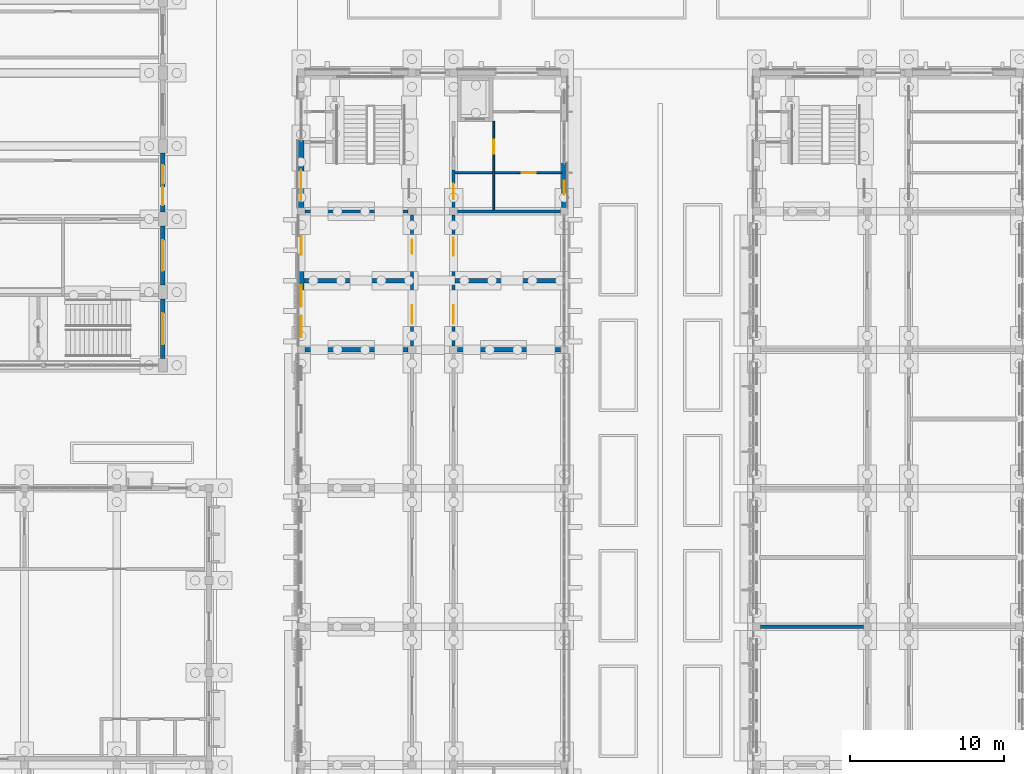
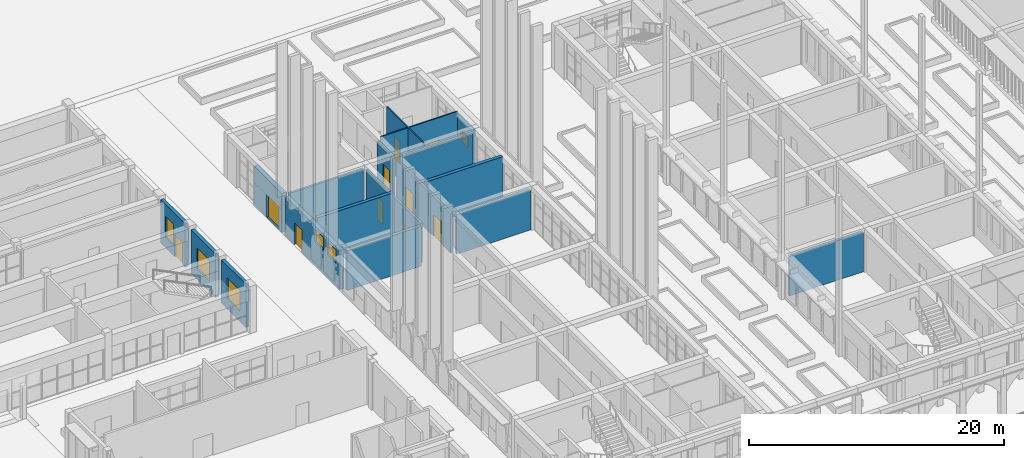
# One storey, part 62 of 161: 18 walls, 10 doors, 6 windows, 16 openings.
"""IFC4 building model written with IfcOpenShell, lengths in metres."""

from ifc_helpers import new_model, si_unit, direction, frame, frame_2d, origin, place, context, subcontext, project, spatial, rectangle, extrude, material, layer, layer_set, type_object, element, fill, save


model = new_model("IFC4")

# Units and contexts
model_context = context("Model", 3, precision=1e-05, world=origin(), true_north=direction((0.0, 1.0)))
body_context = subcontext(model_context, "Body", "Model", "MODEL_VIEW")
ifc_project = project(units=[si_unit("LENGTHUNIT", "METRE"), si_unit("AREAUNIT", "SQUARE_METRE"), si_unit("VOLUMEUNIT", "CUBIC_METRE"), si_unit("PLANEANGLEUNIT", "RADIAN"), si_unit("MASSUNIT", "GRAM", prefix="KILO")], contexts=[model_context])

# Site, building, storey
site_placement = place(None, origin())
site = spatial("IfcSite", under=ifc_project, at=site_placement, CompositionType="ELEMENT")
building_placement = place(site_placement, origin())
building = spatial("IfcBuilding", under=site, at=building_placement, Name="Elbe Cascade School", CompositionType="ELEMENT")
storey_placement = place(building_placement, origin())
storey = spatial("IfcBuildingStorey", under=building, at=storey_placement, Name="L00", CompositionType="ELEMENT", Elevation=0.0)

# Wall
ifc_material_1 = material(Name="Masonry - lime-sand block, plastered", Category="masonry")
ifc_layer_1 = layer(ifc_material_1, 0.239990234375)
ifc_layer_set_1 = layer_set([ifc_layer_1], Name="Masonry - lime-sand block, plastered")
wall_type_1 = type_object("IfcWallType", Name="Bar acoustic partition wall lime-sand block 240", PredefinedType="PARTITIONING", material=ifc_layer_set_1)
wall_1_placement = place(storey_placement, frame((98.85009765625, 24.0, 0.0), z_axis=(0.0, 0.0, 1.0), x_axis=(1.0, 0.0, 0.0)))
element("IfcWall", 1, at=wall_1_placement, inside=storey, type_object=wall_type_1, Name="Bar acoustic partition wall lime-sand block 240", PredefinedType="PARTITIONING", context=body_context, shape_type="SweptSolid", body=[
    extrude(rectangle(XDim=6.699951171875, YDim=0.239990234375, at=frame_2d((3.35009765625, 0.0))), origin(), (0.0, 0.0, 1.0), 3.800048828125),
])

# Wall, opening, door
ifc_material_2 = material(Name="Masonry - lime-sand block, plastered", Category="masonry")
ifc_layer_2 = layer(ifc_material_2, 0.199951171875)
ifc_layer_set_2 = layer_set([ifc_layer_2], Name="Masonry - lime-sand block, plastered")
wall_type_2 = type_object("IfcWallType", Name="Bar corridor wall lime-sand block 200 EI 30", PredefinedType="PARTITIONING", material=ifc_layer_set_2)
wall_2_placement = place(storey_placement, frame((78.89990234375, 51.25, 0.0), z_axis=(0.0, 0.0, 1.0), x_axis=(0.0, 1.0, 0.0)))
wall_2 = element("IfcWall", 2, at=wall_2_placement, inside=storey, type_object=wall_type_2, Name="Bar corridor wall lime-sand block 200 EI 30", PredefinedType="PARTITIONING", context=body_context, shape_type="SweptSolid", body=[
    extrude(rectangle(XDim=2.449951171875, YDim=0.199951171875, at=frame_2d((1.22509765625, 0.0))), origin(), (0.0, 0.0, 1.0), 3.800048828125),
])
opening_1_placement = place(wall_2_placement, frame((0.550048828125, 0.0, 0.0)))
opening_1 = element("IfcOpeningElement", 3, at=opening_1_placement, cuts=wall_2, Name="Opening D0.025", PredefinedType="OPENING", context=body_context, shape_type="SweptSolid", body=[
    extrude(rectangle(XDim=1.0, YDim=2.10009765625, at=frame_2d((0.5, 1.050048828125))), frame((0.0, 0.10986328125, 0.0), z_axis=(0.0, -1.0, 0.0), x_axis=(1.0, 0.0, 0.0)), (0.0, 0.0, 1.0), 0.219970703125),
])
ifc_material_3 = material(Name="Timber door leaf, fire-resisting, steel frame", Category="steel")
door_type_1 = type_object("IfcDoorType", Name="Bar door FD30 1000x2100", OperationType="NOTDEFINED", PredefinedType="DOOR", material=ifc_material_3)
door_1_placement = place(opening_1_placement, origin())
door_1 = element("IfcDoor", 4, at=door_1_placement, inside=storey, type_object=door_type_1, Name="Door A0.19", OperationType="SINGLE_SWING_RIGHT", OverallHeight=2.10009765625, OverallWidth=1.0, PredefinedType="DOOR", context=body_context, shape_type="SweptSolid", body=[
    extrude(rectangle(XDim=1.0, YDim=2.10009765625, at=frame_2d((0.5, 1.050048828125))), frame((0.0, 0.02490234375, 0.0), z_axis=(0.0, -1.0, 0.0), x_axis=(1.0, 0.0, 0.0)), (0.0, 0.0, 1.0), 0.050048828125),
])
fill(opening_1, door_1)

# Wall, openings, doors
wall_3_placement = place(storey_placement, frame((76.199951171875, 42.25, 0.0), z_axis=(0.0, 0.0, 1.0), x_axis=(0.0, 1.0, 0.0)))
wall_3 = element("IfcWall", 5, at=wall_3_placement, inside=storey, type_object=wall_type_2, Name="Bar corridor wall lime-sand block 200 EI 30", PredefinedType="PARTITIONING", context=body_context, shape_type="SweptSolid", body=[
    extrude(rectangle(XDim=8.5, YDim=0.199951171875, at=frame_2d((4.25, 0.0))), origin(), (0.0, 0.0, 1.0), 3.800048828125),
])
opening_2_placement = place(wall_3_placement, frame((1.449951171875, 0.0, 0.0)))
opening_2 = element("IfcOpeningElement", 6, at=opening_2_placement, cuts=wall_3, Name="Opening D0.020", PredefinedType="OPENING", context=body_context, shape_type="SweptSolid", body=[
    extrude(rectangle(XDim=1.199951171875, YDim=2.10009765625, at=frame_2d((0.60009765625, 1.050048828125))), frame((0.0, 0.10986328125, 0.0), z_axis=(0.0, -1.0, 0.0), x_axis=(1.0, 0.0, 0.0)), (0.0, 0.0, 1.0), 0.219970703125),
])
opening_3_placement = place(wall_3_placement, frame((6.0, 0.0, 0.0)))
opening_3 = element("IfcOpeningElement", 7, at=opening_3_placement, cuts=wall_3, Name="Opening D0.022", PredefinedType="OPENING", context=body_context, shape_type="SweptSolid", body=[
    extrude(rectangle(XDim=0.89990234375, YDim=2.10009765625, at=frame_2d((0.449951171875, 1.050048828125))), frame((0.0, 0.10986328125, 0.0), z_axis=(0.0, -1.0, 0.0), x_axis=(1.0, 0.0, 0.0)), (0.0, 0.0, 1.0), 0.219970703125),
])
ifc_material_4 = material(Name="Timber door leaf, fire-resisting, steel frame", Category="steel")
door_type_2 = type_object("IfcDoorType", Name="Bar door FD30 1200x2100", OperationType="NOTDEFINED", PredefinedType="DOOR", material=ifc_material_4)
door_2_placement = place(opening_2_placement, origin())
door_2 = element("IfcDoor", 8, at=door_2_placement, inside=storey, type_object=door_type_2, Name="Door A0.23", OperationType="SINGLE_SWING_RIGHT", OverallHeight=2.10009765625, OverallWidth=1.199951171875, PredefinedType="DOOR", context=body_context, shape_type="SweptSolid", body=[
    extrude(rectangle(XDim=1.199951171875, YDim=2.10009765625, at=frame_2d((0.60009765625, 1.050048828125))), frame((0.0, 0.02490234375, 0.0), z_axis=(0.0, -1.0, 0.0), x_axis=(1.0, 0.0, 0.0)), (0.0, 0.0, 1.0), 0.050048828125),
])
fill(opening_2, door_2)
ifc_material_5 = material(Name="Timber door leaf, fire-resisting, steel frame", Category="steel")
door_type_3 = type_object("IfcDoorType", Name="Bar door FD30 900x2100", OperationType="NOTDEFINED", PredefinedType="DOOR", material=ifc_material_5)
door_3_placement = place(opening_3_placement, origin())
door_3 = element("IfcDoor", 9, at=door_3_placement, inside=storey, type_object=door_type_3, Name="Door A0.24", OperationType="SINGLE_SWING_LEFT", OverallHeight=2.10009765625, OverallWidth=0.89990234375, PredefinedType="DOOR", context=body_context, shape_type="SweptSolid", body=[
    extrude(rectangle(XDim=0.89990234375, YDim=2.10009765625, at=frame_2d((0.449951171875, 1.050048828125))), frame((0.0, 0.02490234375, 0.0), z_axis=(0.0, -1.0, 0.0), x_axis=(1.0, 0.0, 0.0)), (0.0, 0.0, 1.0), 0.050048828125),
])
fill(opening_3, door_3)

wall_4_placement = place(storey_placement, frame((78.89990234375, 50.75, 0.0), z_axis=(0.0, 0.0, 1.0), x_axis=(0.0, -1.0, 0.0)))
wall_4 = element("IfcWall", 10, at=wall_4_placement, inside=storey, type_object=wall_type_2, Name="Bar corridor wall lime-sand block 200 EI 30", PredefinedType="PARTITIONING", context=body_context, shape_type="SweptSolid", body=[
    extrude(rectangle(XDim=8.5, YDim=0.199951171875, at=frame_2d((4.25, 0.0))), origin(), (0.0, 0.0, 1.0), 3.800048828125),
])
opening_4_placement = place(wall_4_placement, frame((5.85009765625, 0.0, 0.0)))
opening_4 = element("IfcOpeningElement", 11, at=opening_4_placement, cuts=wall_4, Name="Opening D0.021", PredefinedType="OPENING", context=body_context, shape_type="SweptSolid", body=[
    extrude(rectangle(XDim=1.199951171875, YDim=2.10009765625, at=frame_2d((0.60009765625, 1.050048828125))), frame((0.0, 0.10986328125, 0.0), z_axis=(0.0, -1.0, 0.0), x_axis=(1.0, 0.0, 0.0)), (0.0, 0.0, 1.0), 0.219970703125),
])
opening_5_placement = place(wall_4_placement, frame((1.449951171875, 0.0, 0.0)))
opening_5 = element("IfcOpeningElement", 12, at=opening_5_placement, cuts=wall_4, Name="Opening D0.023", PredefinedType="OPENING", context=body_context, shape_type="SweptSolid", body=[
    extrude(rectangle(XDim=1.199951171875, YDim=2.10009765625, at=frame_2d((0.60009765625, 1.050048828125))), frame((0.0, 0.10986328125, 0.0), z_axis=(0.0, -1.0, 0.0), x_axis=(1.0, 0.0, 0.0)), (0.0, 0.0, 1.0), 0.219970703125),
])
door_4_placement = place(opening_4_placement, origin())
door_4 = element("IfcDoor", 13, at=door_4_placement, inside=storey, type_object=door_type_2, Name="Door A0.26", OperationType="SINGLE_SWING_LEFT", OverallHeight=2.10009765625, OverallWidth=1.199951171875, PredefinedType="DOOR", context=body_context, shape_type="SweptSolid", body=[
    extrude(rectangle(XDim=1.199951171875, YDim=2.10009765625, at=frame_2d((0.60009765625, 1.050048828125))), frame((0.0, 0.02490234375, 0.0), z_axis=(0.0, -1.0, 0.0), x_axis=(1.0, 0.0, 0.0)), (0.0, 0.0, 1.0), 0.050048828125),
])
fill(opening_4, door_4)
door_5_placement = place(opening_5_placement, origin())
door_5 = element("IfcDoor", 14, at=door_5_placement, inside=storey, type_object=door_type_2, Name="Door A0.27", OperationType="SINGLE_SWING_RIGHT", OverallHeight=2.10009765625, OverallWidth=1.199951171875, PredefinedType="DOOR", context=body_context, shape_type="SweptSolid", body=[
    extrude(rectangle(XDim=1.199951171875, YDim=2.10009765625, at=frame_2d((0.60009765625, 1.050048828125))), frame((0.0, 0.02490234375, 0.0), z_axis=(0.0, -1.0, 0.0), x_axis=(1.0, 0.0, 0.0)), (0.0, 0.0, 1.0), 0.050048828125),
])
fill(opening_5, door_5)

# Wall, opening, door
ifc_material_6 = material(Name="Masonry - lime-sand block, plastered", Category="masonry")
ifc_layer_3 = layer(ifc_material_6, 0.114990234375)
ifc_layer_set_3 = layer_set([ifc_layer_3], Name="Masonry - lime-sand block, plastered")
wall_type_3 = type_object("IfcWallType", Name="Bar light partition wall lime-sand block 115", PredefinedType="PARTITIONING", material=ifc_layer_set_3)
wall_5_placement = place(storey_placement, frame((81.507568359375, 56.85009765625, 0.0), z_axis=(0.0, 0.0, 1.0), x_axis=(0.0, -1.0, 0.0)))
wall_5 = element("IfcWall", 15, at=wall_5_placement, inside=storey, type_object=wall_type_3, Name="Bar light partition wall lime-sand block 115", PredefinedType="PARTITIONING", context=body_context, shape_type="SweptSolid", body=[
    extrude(rectangle(XDim=5.75, YDim=0.114990234375, at=frame_2d((2.875, 0.0))), origin(), (0.0, 0.0, 1.0), 4.25),
])
opening_6_placement = place(wall_5_placement, frame((1.199951171875, 0.0, 0.0)))
opening_6 = element("IfcOpeningElement", 16, at=opening_6_placement, cuts=wall_5, Name="Opening D0.030", PredefinedType="OPENING", context=body_context, shape_type="SweptSolid", body=[
    extrude(rectangle(XDim=0.89990234375, YDim=2.10009765625, at=frame_2d((0.449951171875, 1.050048828125))), frame((0.0, 0.0673828125, 0.0), z_axis=(0.0, -1.0, 0.0), x_axis=(1.0, 0.0, 0.0)), (0.0, 0.0, 1.0), 0.135009765625),
])
ifc_material_7 = material(Name="Timber door leaf, steel frame", Category="steel")
door_type_4 = type_object("IfcDoorType", Name="Bar door 900x2100", OperationType="NOTDEFINED", PredefinedType="DOOR", material=ifc_material_7)
door_6_placement = place(opening_6_placement, origin())
door_6 = element("IfcDoor", 17, at=door_6_placement, inside=storey, type_object=door_type_4, Name="Door A0.16", OperationType="SINGLE_SWING_LEFT", OverallHeight=2.10009765625, OverallWidth=0.89990234375, PredefinedType="DOOR", context=body_context, shape_type="SweptSolid", body=[
    extrude(rectangle(XDim=0.89990234375, YDim=2.10009765625, at=frame_2d((0.449951171875, 1.050048828125))), frame((0.0, 0.02490234375, 0.0), z_axis=(0.0, -1.0, 0.0), x_axis=(1.0, 0.0, 0.0)), (0.0, 0.0, 1.0), 0.050048828125),
])
fill(opening_6, door_6)

wall_6_placement = place(storey_placement, frame((85.949951171875, 53.52001953125, 0.0), z_axis=(0.0, 0.0, 1.0), x_axis=(-1.0, 0.0, 0.0)))
wall_6 = element("IfcWall", 18, at=wall_6_placement, inside=storey, type_object=wall_type_3, Name="Bar light partition wall lime-sand block 115", PredefinedType="PARTITIONING", context=body_context, shape_type="SweptSolid", body=[
    extrude(rectangle(XDim=6.949951171875, YDim=0.114990234375, at=frame_2d((3.47509765625, 0.0))), origin(), (0.0, 0.0, 1.0), 4.25),
])
opening_7_placement = place(wall_6_placement, frame((1.699951171875, 0.0, 0.0)))
opening_7 = element("IfcOpeningElement", 19, at=opening_7_placement, cuts=wall_6, Name="Opening D0.028", PredefinedType="OPENING", context=body_context, shape_type="SweptSolid", body=[
    extrude(rectangle(XDim=0.89990234375, YDim=2.10009765625, at=frame_2d((0.449951171875, 1.050048828125))), frame((0.0, 0.0673828125, 0.0), z_axis=(0.0, -1.0, 0.0), x_axis=(1.0, 0.0, 0.0)), (0.0, 0.0, 1.0), 0.135009765625),
])
door_7_placement = place(opening_7_placement, origin())
door_7 = element("IfcDoor", 20, at=door_7_placement, inside=storey, type_object=door_type_4, Name="Door A0.18", OperationType="SINGLE_SWING_RIGHT", OverallHeight=2.10009765625, OverallWidth=0.89990234375, PredefinedType="DOOR", context=body_context, shape_type="SweptSolid", body=[
    extrude(rectangle(XDim=0.89990234375, YDim=2.10009765625, at=frame_2d((0.449951171875, 1.050048828125))), frame((0.0, 0.02490234375, 0.0), z_axis=(0.0, -1.0, 0.0), x_axis=(1.0, 0.0, 0.0)), (0.0, 0.0, 1.0), 0.050048828125),
])
fill(opening_7, door_7)

# Walls
ifc_material_8 = material(Name="Masonry - lime-sand block, plastered", Category="masonry")
ifc_layer_4 = layer(ifc_material_8, 0.199951171875)
ifc_layer_set_4 = layer_set([ifc_layer_4], Name="Masonry - lime-sand block, plastered")
wall_type_4 = type_object("IfcWallType", Name="Bar partition wall lime-sand block 200", PredefinedType="PARTITIONING", material=ifc_layer_set_4)
wall_7_placement = place(storey_placement, frame((79.14990234375, 51.0, 0.0), z_axis=(0.0, 0.0, 1.0), x_axis=(1.0, 0.0, 0.0)))
element("IfcWall", 21, at=wall_7_placement, inside=storey, type_object=wall_type_4, Name="Bar partition wall lime-sand block 200", PredefinedType="PARTITIONING", context=body_context, shape_type="SweptSolid", body=[
    extrude(rectangle(XDim=6.7001953125, YDim=0.199951171875, at=frame_2d((3.35009765625, 0.0))), origin(), (0.0, 0.0, 1.0), 3.800048828125),
])
ifc_material_9 = material(Name="Concrete C30/37", Category="concrete")
ifc_layer_5 = layer(ifc_material_9, 0.300048828125)
ifc_layer_set_5 = layer_set([ifc_layer_5], Name="Concrete C30/37")
wall_type_5 = type_object("IfcWallType", Name="Bar plant room wall RC 300", PredefinedType="SOLIDWALL", material=ifc_layer_set_5)
wall_8_placement = place(storey_placement, frame((69.25, 42.0, 0.0), z_axis=(0.0, 0.0, 1.0), x_axis=(1.0, 0.0, 0.0)))
element("IfcWall", 22, at=wall_8_placement, inside=storey, type_object=wall_type_5, Name="Bar plant room wall RC 300", PredefinedType="SOLIDWALL", context=body_context, shape_type="SweptSolid", body=[
    extrude(rectangle(XDim=6.699951171875, YDim=0.300048828125, at=frame_2d((3.35009765625, 0.0))), origin(), (0.0, 0.0, 1.0), 3.800048828125),
])
wall_9_placement = place(storey_placement, frame((69.179931640625, 46.5, 0.0), z_axis=(0.0, 0.0, 1.0), x_axis=(1.0, 0.0, 0.0)))
element("IfcWall", 23, at=wall_9_placement, inside=storey, type_object=wall_type_5, Name="Bar plant room wall RC 300", PredefinedType="SOLIDWALL", context=body_context, shape_type="SweptSolid", body=[
    extrude(rectangle(XDim=6.920166015625, YDim=0.300048828125, at=frame_2d((3.4599609375, 0.0))), origin(), (0.0, 0.0, 1.0), 4.25),
])
wall_10_placement = place(storey_placement, frame((79.14990234375, 42.0, 0.0), z_axis=(0.0, 0.0, 1.0), x_axis=(1.0, 0.0, 0.0)))
element("IfcWall", 24, at=wall_10_placement, inside=storey, type_object=wall_type_5, Name="Bar plant room wall RC 300", PredefinedType="SOLIDWALL", context=body_context, shape_type="SweptSolid", body=[
    extrude(rectangle(XDim=6.7001953125, YDim=0.300048828125, at=frame_2d((3.35009765625, 0.0))), origin(), (0.0, 0.0, 1.0), 3.800048828125),
])
wall_11_placement = place(storey_placement, frame((79.0, 46.5, 0.0), z_axis=(0.0, 0.0, 1.0), x_axis=(1.0, 0.0, 0.0)))
element("IfcWall", 25, at=wall_11_placement, inside=storey, type_object=wall_type_5, Name="Bar plant room wall RC 300", PredefinedType="SOLIDWALL", context=body_context, shape_type="SweptSolid", body=[
    extrude(rectangle(XDim=6.919921875, YDim=0.300048828125, at=frame_2d((3.4599609375, 0.0))), origin(), (0.0, 0.0, 1.0), 4.25),
])
ifc_material_10 = material(Name="Concrete C30/37", Category="concrete")
ifc_layer_6 = layer(ifc_material_10, 0.199951171875)
ifc_layer_set_6 = layer_set([ifc_layer_6], Name="Concrete C30/37")
wall_type_6 = type_object("IfcWallType", Name="Bar stair lobby wall RC 200", PredefinedType="SOLIDWALL", material=ifc_layer_set_6)
wall_12_placement = place(storey_placement, frame((69.25, 51.0, 0.0), z_axis=(0.0, 0.0, 1.0), x_axis=(1.0, 0.0, 0.0)))
element("IfcWall", 26, at=wall_12_placement, inside=storey, type_object=wall_type_6, Name="Bar stair lobby wall RC 200", PredefinedType="SOLIDWALL", context=body_context, shape_type="SweptSolid", body=[
    extrude(rectangle(XDim=6.699951171875, YDim=0.199951171875, at=frame_2d((3.35009765625, 0.0))), origin(), (0.0, 0.0, 1.0), 3.800048828125),
])

# Wall, openings, door, windows
ifc_material_11 = material(Name="Brick masonry - red clinker, cavity wall with render backing", Category="masonry")
ifc_layer_7 = layer(ifc_material_11, 0.360107421875)
ifc_layer_set_7 = layer_set([ifc_layer_7], Name="Brick masonry - red clinker, cavity wall with render backing")
wall_type_7 = type_object("IfcWallType", Name="Bars envelope External wall - clinker brick cavity, 360 ground floor", PredefinedType="STANDARD", material=ifc_layer_set_7)
wall_13_placement = place(storey_placement, frame((69.0, 42.25, 0.0), z_axis=(0.0, 0.0, 1.0), x_axis=(0.0, 1.0, 0.0)))
wall_13 = element("IfcWall", 27, at=wall_13_placement, inside=storey, type_object=wall_type_7, Name="External wall W29 A.L00.w5", PredefinedType="STANDARD", context=body_context, shape_type="SweptSolid", body=[
    extrude(rectangle(XDim=8.5, YDim=0.360107421875, at=frame_2d((4.25, 0.0))), origin(), (0.0, 0.0, 1.0), 3.75),
])
opening_8_placement = place(wall_13_placement, frame((0.580078125, 0.0, 2.199951171875)))
opening_8 = element("IfcOpeningElement", 28, at=opening_8_placement, cuts=wall_13, Name="Opening W0.011", PredefinedType="OPENING", context=body_context, shape_type="SweptSolid", body=[
    extrude(rectangle(XDim=1.39990234375, YDim=1.199951171875, at=frame_2d((0.699951171875, 0.60009765625))), frame((0.0, 0.18994140625, 0.0), z_axis=(0.0, -1.0, 0.0), x_axis=(1.0, 0.0, 0.0)), (0.0, 0.0, 1.0), 0.380126953125),
])
opening_9_placement = place(wall_13_placement, frame((2.56005859375, 0.0, 2.199951171875)))
opening_9 = element("IfcOpeningElement", 29, at=opening_9_placement, cuts=wall_13, Name="Opening W0.012", PredefinedType="OPENING", context=body_context, shape_type="SweptSolid", body=[
    extrude(rectangle(XDim=1.39990234375, YDim=1.199951171875, at=frame_2d((0.699951171875, 0.60009765625))), frame((0.0, 0.18994140625, 0.0), z_axis=(0.0, -1.0, 0.0), x_axis=(1.0, 0.0, 0.0)), (0.0, 0.0, 1.0), 0.380126953125),
])
opening_10_placement = place(wall_13_placement, frame((5.925048828125, 0.0, 0.0)))
opening_10 = element("IfcOpeningElement", 30, at=opening_10_placement, cuts=wall_13, Name="Opening D0.024", PredefinedType="OPENING", context=body_context, shape_type="SweptSolid", body=[
    extrude(rectangle(XDim=1.199951171875, YDim=2.10009765625, at=frame_2d((0.60009765625, 1.050048828125))), frame((0.0, 0.18994140625, 0.0), z_axis=(0.0, -1.0, 0.0), x_axis=(1.0, 0.0, 0.0)), (0.0, 0.0, 1.0), 0.380126953125),
])
ifc_material_12 = material(Name="Steel door set, fire resisting", Category="steel")
door_type_5 = type_object("IfcDoorType", Name="Bars envelope Service door, single leaf, 1200 x 2100, fire resisting", OperationType="SINGLE_SWING_RIGHT", PredefinedType="DOOR", material=ifc_material_12)
door_8_placement = place(opening_10_placement, origin())
door_8 = element("IfcDoor", 31, at=door_8_placement, inside=storey, type_object=door_type_5, Name="Service door D13 A.L00.w5", OperationType="SINGLE_SWING_RIGHT", OverallHeight=2.10009765625, OverallWidth=1.199951171875, PredefinedType="DOOR", context=body_context, shape_type="SweptSolid", body=[
    extrude(rectangle(XDim=1.199951171875, YDim=2.10009765625, at=frame_2d((0.60009765625, 1.050048828125))), frame((0.0, 0.02490234375, 0.0), z_axis=(0.0, -1.0, 0.0), x_axis=(1.0, 0.0, 0.0)), (0.0, 0.0, 1.0), 0.050048828125),
])
fill(opening_10, door_8)
ifc_material_13 = material(Name="Aluminium louvre, bronze anodised", Category="aluminium")
window_type_1 = type_object("IfcWindowType", Name="Bars envelope Window 1400 x 1200, plant room louvre, aluminium double glazed", PartitioningType="DOUBLE_PANEL_VERTICAL", PredefinedType="WINDOW", material=ifc_material_13)
window_1_placement = place(opening_8_placement, origin())
window_1 = element("IfcWindow", 32, at=window_1_placement, inside=storey, type_object=window_type_1, Name="Window WN3 A.L00.w5.1", OverallHeight=1.199951171875, OverallWidth=1.39990234375, PartitioningType="DOUBLE_PANEL_VERTICAL", PredefinedType="WINDOW", context=body_context, shape_type="SweptSolid", body=[
    extrude(rectangle(XDim=1.39990234375, YDim=1.199951171875, at=frame_2d((0.699951171875, 0.60009765625))), frame((0.0, 0.030029296875, 0.0), z_axis=(0.0, -1.0, 0.0), x_axis=(1.0, 0.0, 0.0)), (0.0, 0.0, 1.0), 0.06005859375),
])
fill(opening_8, window_1)
window_2_placement = place(opening_9_placement, origin())
window_2 = element("IfcWindow", 33, at=window_2_placement, inside=storey, type_object=window_type_1, Name="Window WN3 A.L00.w5.2", OverallHeight=1.199951171875, OverallWidth=1.39990234375, PartitioningType="DOUBLE_PANEL_VERTICAL", PredefinedType="WINDOW", context=body_context, shape_type="SweptSolid", body=[
    extrude(rectangle(XDim=1.39990234375, YDim=1.199951171875, at=frame_2d((0.699951171875, 0.60009765625))), frame((0.0, 0.030029296875, 0.0), z_axis=(0.0, -1.0, 0.0), x_axis=(1.0, 0.0, 0.0)), (0.0, 0.0, 1.0), 0.06005859375),
])
fill(opening_9, window_2)

# Wall, opening, window
wall_14_placement = place(storey_placement, frame((86.10009765625, 54.14990234375, 0.0), z_axis=(0.0, 0.0, 1.0), x_axis=(0.0, -1.0, 0.0)))
wall_14 = element("IfcWall", 34, at=wall_14_placement, inside=storey, type_object=wall_type_7, Name="External wall W29 A.L00.e6a", PredefinedType="STANDARD", context=body_context, shape_type="SweptSolid", body=[
    extrude(rectangle(XDim=2.89990234375, YDim=0.360107421875, at=frame_2d((1.449951171875, 0.0))), origin(), (0.0, 0.0, 1.0), 3.75),
])
opening_11_placement = place(wall_14_placement, frame((1.169921875, 0.0, 1.60009765625)))
opening_11 = element("IfcOpeningElement", 35, at=opening_11_placement, cuts=wall_14, Name="Opening W0.013", PredefinedType="OPENING", context=body_context, shape_type="SweptSolid", body=[
    extrude(rectangle(XDim=0.89990234375, YDim=1.0, at=frame_2d((0.449951171875, 0.5))), frame((0.0, 0.18994140625, 0.0), z_axis=(0.0, -1.0, 0.0), x_axis=(1.0, 0.0, 0.0)), (0.0, 0.0, 1.0), 0.380126953125),
])
ifc_material_14 = material(Name="Aluminium frame with double glazing, bronze anodised", Category="aluminium")
window_type_2 = type_object("IfcWindowType", Name="Bars envelope Window 900 x 1000, WC and service room, high level, aluminium double glazed", PartitioningType="SINGLE_PANEL", PredefinedType="WINDOW", material=ifc_material_14)
window_3_placement = place(opening_11_placement, origin())
window_3 = element("IfcWindow", 36, at=window_3_placement, inside=storey, type_object=window_type_2, Name="Window WN4 A.L00.e6a.1", OverallHeight=1.0, OverallWidth=0.89990234375, PartitioningType="SINGLE_PANEL", PredefinedType="WINDOW", context=body_context, shape_type="SweptSolid", body=[
    extrude(rectangle(XDim=0.89990234375, YDim=1.0, at=frame_2d((0.449951171875, 0.5))), frame((0.0, 0.030029296875, 0.0), z_axis=(0.0, -1.0, 0.0), x_axis=(1.0, 0.0, 0.0)), (0.0, 0.0, 1.0), 0.06005859375),
])
fill(opening_11, window_3)

# Wall, opening, door
ifc_material_15 = material(Name="Brick masonry - red clinker, solid, sandstone-faced", Category="masonry")
ifc_layer_8 = layer(ifc_material_15, 0.39990234375)
ifc_layer_set_8 = layer_set([ifc_layer_8], Name="Brick masonry - red clinker, solid, sandstone-faced")
wall_type_8 = type_object("IfcWallType", Name="Bars envelope External wall - solid masonry core strip, sandstone faced, 400", PredefinedType="STANDARD", material=ifc_layer_set_8)
wall_15_placement = place(storey_placement, frame((68.97998046875, 51.25, 0.0), z_axis=(0.0, 0.0, 1.0), x_axis=(0.0, 1.0, 0.0)))
wall_15 = element("IfcWall", 37, at=wall_15_placement, inside=storey, type_object=wall_type_8, Name="External wall W31 A.L00.w6a", PredefinedType="STANDARD", context=body_context, shape_type="SweptSolid", body=[
    extrude(rectangle(XDim=4.360107421875, YDim=0.39990234375, at=frame_2d((2.18017578125, 0.0))), origin(), (0.0, 0.0, 1.0), 3.75),
])
opening_12_placement = place(wall_15_placement, frame((0.449951171875, 0.0, 0.0)))
opening_12 = element("IfcOpeningElement", 38, at=opening_12_placement, cuts=wall_15, Name="Opening D0.027", PredefinedType="OPENING", context=body_context, shape_type="SweptSolid", body=[
    extrude(rectangle(XDim=2.0, YDim=2.199951171875, at=frame_2d((1.0, 1.10009765625))), frame((0.0, 0.2099609375, 0.0), z_axis=(0.0, -1.0, 0.0), x_axis=(1.0, 0.0, 0.0)), (0.0, 0.0, 1.0), 0.419921875),
])
ifc_material_16 = material(Name="Steel door set, fire resisting", Category="steel")
door_type_6 = type_object("IfcDoorType", Name="Bars envelope Stair exit door, double leaf, 2000 x 2200, fire resisting", OperationType="DOUBLE_DOOR_SINGLE_SWING", PredefinedType="DOOR", material=ifc_material_16)
door_9_placement = place(opening_12_placement, origin())
door_9 = element("IfcDoor", 39, at=door_9_placement, inside=storey, type_object=door_type_6, Name="Stair exit door D12 A.L00.w6a", OperationType="DOUBLE_DOOR_SINGLE_SWING", OverallHeight=2.199951171875, OverallWidth=2.0, PredefinedType="DOOR", context=body_context, shape_type="SweptSolid", body=[
    extrude(rectangle(XDim=2.0, YDim=2.199951171875, at=frame_2d((1.0, 1.10009765625))), frame((0.0, 0.02490234375, 0.0), z_axis=(0.0, -1.0, 0.0), x_axis=(1.0, 0.0, 0.0)), (0.0, 0.0, 1.0), 0.050048828125),
])
fill(opening_12, door_9)

# Wall, opening, window
ifc_material_17 = material(Name="Concrete C30/37 wall", Category="concrete")
ifc_layer_9 = layer(ifc_material_17, 0.300048828125)
ifc_layer_set_9 = layer_set([ifc_layer_9], Name="Concrete C30/37 wall")
wall_type_9 = type_object("IfcWallType", Name="Hall wall Concrete C30/37 300", PredefinedType="SOLIDWALL", material=ifc_layer_set_9)
wall_16_placement = place(storey_placement, frame((60.0, 41.449951171875, 0.0), z_axis=(0.0, 0.0, 1.0), x_axis=(0.0, 1.0, 0.0)))
wall_16 = element("IfcWall", 40, at=wall_16_placement, inside=storey, type_object=wall_type_9, Name="Hall wall E1", PredefinedType="SOLIDWALL", context=body_context, shape_type="SweptSolid", body=[
    extrude(rectangle(XDim=3.85009765625, YDim=0.300048828125, at=frame_2d((1.925048828125, 0.0))), origin(), (0.0, 0.0, 1.0), 4.14990234375),
])
opening_13_placement = place(wall_16_placement, frame((0.925048828125, 0.0, 1.0)))
opening_13 = element("IfcOpeningElement", 41, at=opening_13_placement, cuts=wall_16, Name="Opening W0.126", PredefinedType="OPENING", context=body_context, shape_type="SweptSolid", body=[
    extrude(rectangle(XDim=2.0, YDim=2.0, at=frame_2d((1.0, 1.0))), frame((0.0, 0.159912109375, 0.0), z_axis=(0.0, -1.0, 0.0), x_axis=(1.0, 0.0, 0.0)), (0.0, 0.0, 1.0), 0.320068359375),
])
ifc_material_18 = material(Name="Glass - double glazed low-E", Category="glass")
window_type_3 = type_object("IfcWindowType", Name="Hall base window 2000x2000", PartitioningType="SINGLE_PANEL", PredefinedType="WINDOW", material=ifc_material_18)
window_4_placement = place(opening_13_placement, origin())
window_4 = element("IfcWindow", 42, at=window_4_placement, inside=storey, type_object=window_type_3, Name="Window E1", OverallHeight=2.0, OverallWidth=2.0, PartitioningType="SINGLE_PANEL", PredefinedType="WINDOW", context=body_context, shape_type="SweptSolid", body=[
    extrude(rectangle(XDim=2.0, YDim=2.0, at=frame_2d((1.0, 1.0))), frame((0.0, 0.030029296875, 0.0), z_axis=(0.0, -1.0, 0.0), x_axis=(1.0, 0.0, 0.0)), (0.0, 0.0, 1.0), 0.06005859375),
])
fill(opening_13, window_4)

wall_17_placement = place(storey_placement, frame((60.0, 46.199951171875, 0.0), z_axis=(0.0, 0.0, 1.0), x_axis=(0.0, 1.0, 0.0)))
wall_17 = element("IfcWall", 43, at=wall_17_placement, inside=storey, type_object=wall_type_9, Name="Hall wall E2", PredefinedType="SOLIDWALL", context=body_context, shape_type="SweptSolid", body=[
    extrude(rectangle(XDim=3.85009765625, YDim=0.300048828125, at=frame_2d((1.925048828125, 0.0))), origin(), (0.0, 0.0, 1.0), 4.14990234375),
])
opening_14_placement = place(wall_17_placement, frame((0.925048828125, 0.0, 1.0)))
opening_14 = element("IfcOpeningElement", 44, at=opening_14_placement, cuts=wall_17, Name="Opening W0.128", PredefinedType="OPENING", context=body_context, shape_type="SweptSolid", body=[
    extrude(rectangle(XDim=2.0, YDim=2.0, at=frame_2d((1.0, 1.0))), frame((0.0, 0.159912109375, 0.0), z_axis=(0.0, -1.0, 0.0), x_axis=(1.0, 0.0, 0.0)), (0.0, 0.0, 1.0), 0.320068359375),
])
window_5_placement = place(opening_14_placement, origin())
window_5 = element("IfcWindow", 45, at=window_5_placement, inside=storey, type_object=window_type_3, Name="Window E2", OverallHeight=2.0, OverallWidth=2.0, PartitioningType="SINGLE_PANEL", PredefinedType="WINDOW", context=body_context, shape_type="SweptSolid", body=[
    extrude(rectangle(XDim=2.0, YDim=2.0, at=frame_2d((1.0, 1.0))), frame((0.0, 0.030029296875, 0.0), z_axis=(0.0, -1.0, 0.0), x_axis=(1.0, 0.0, 0.0)), (0.0, 0.0, 1.0), 0.06005859375),
])
fill(opening_14, window_5)

# Wall, openings, window, door
wall_18_placement = place(storey_placement, frame((60.0, 50.949951171875, 0.0), z_axis=(0.0, 0.0, 1.0), x_axis=(0.0, 1.0, 0.0)))
wall_18 = element("IfcWall", 46, at=wall_18_placement, inside=storey, type_object=wall_type_9, Name="Hall wall E3", PredefinedType="SOLIDWALL", context=body_context, shape_type="SweptSolid", body=[
    extrude(rectangle(XDim=3.85009765625, YDim=0.300048828125, at=frame_2d((1.925048828125, 0.0))), origin(), (0.0, 0.0, 1.0), 4.14990234375),
])
opening_15_placement = place(wall_18_placement, frame((1.85009765625, 0.0, 1.0)))
opening_15 = element("IfcOpeningElement", 47, at=opening_15_placement, cuts=wall_18, Name="Opening W0.130", PredefinedType="OPENING", context=body_context, shape_type="SweptSolid", body=[
    extrude(rectangle(XDim=1.199951171875, YDim=2.0, at=frame_2d((0.60009765625, 1.0))), frame((0.0, 0.159912109375, 0.0), z_axis=(0.0, -1.0, 0.0), x_axis=(1.0, 0.0, 0.0)), (0.0, 0.0, 1.0), 0.320068359375),
])
opening_16_placement = place(wall_18_placement, frame((0.449951171875, 0.0, 0.0)))
opening_16 = element("IfcOpeningElement", 48, at=opening_16_placement, cuts=wall_18, Name="Opening D0.142", PredefinedType="OPENING", context=body_context, shape_type="SweptSolid", body=[
    extrude(rectangle(XDim=1.199951171875, YDim=2.10009765625, at=frame_2d((0.60009765625, 1.050048828125))), frame((0.0, 0.159912109375, 0.0), z_axis=(0.0, -1.0, 0.0), x_axis=(1.0, 0.0, 0.0)), (0.0, 0.0, 1.0), 0.320068359375),
])
ifc_material_19 = material(Name="Glass - double glazed low-E", Category="glass")
window_type_4 = type_object("IfcWindowType", Name="Hall base window 1200x2000", PartitioningType="SINGLE_PANEL", PredefinedType="WINDOW", material=ifc_material_19)
window_6_placement = place(opening_15_placement, origin())
window_6 = element("IfcWindow", 49, at=window_6_placement, inside=storey, type_object=window_type_4, Name="Window E3", OverallHeight=2.0, OverallWidth=1.199951171875, PartitioningType="SINGLE_PANEL", PredefinedType="WINDOW", context=body_context, shape_type="SweptSolid", body=[
    extrude(rectangle(XDim=1.199951171875, YDim=2.0, at=frame_2d((0.60009765625, 1.0))), frame((0.0, 0.030029296875, 0.0), z_axis=(0.0, -1.0, 0.0), x_axis=(1.0, 0.0, 0.0)), (0.0, 0.0, 1.0), 0.06005859375),
])
fill(opening_15, window_6)
ifc_material_20 = material(Name="Aluminium - powder coated frame, glazed leaf", Category="aluminium")
door_type_7 = type_object("IfcDoorType", Name="Hall exterior door 1200", OperationType="SINGLE_SWING_LEFT", PredefinedType="DOOR", material=ifc_material_20)
door_10_placement = place(opening_16_placement, frame((1.199951171875, 0.0, 0.0), z_axis=(0.0, 0.0, 1.0), x_axis=(-1.0, 0.0, 0.0)))
door_10 = element("IfcDoor", 50, at=door_10_placement, inside=storey, type_object=door_type_7, Name="Exit", OperationType="SINGLE_SWING_RIGHT", OverallHeight=2.10009765625, OverallWidth=1.199951171875, PredefinedType="DOOR", context=body_context, shape_type="SweptSolid", body=[
    extrude(rectangle(XDim=1.199951171875, YDim=2.10009765625, at=frame_2d((0.60009765625, 1.050048828125))), frame((0.0, 0.02490234375, 0.0), z_axis=(0.0, -1.0, 0.0), x_axis=(1.0, 0.0, 0.0)), (0.0, 0.0, 1.0), 0.050048828125),
])
fill(opening_16, door_10)

save(model, "model.ifc")
